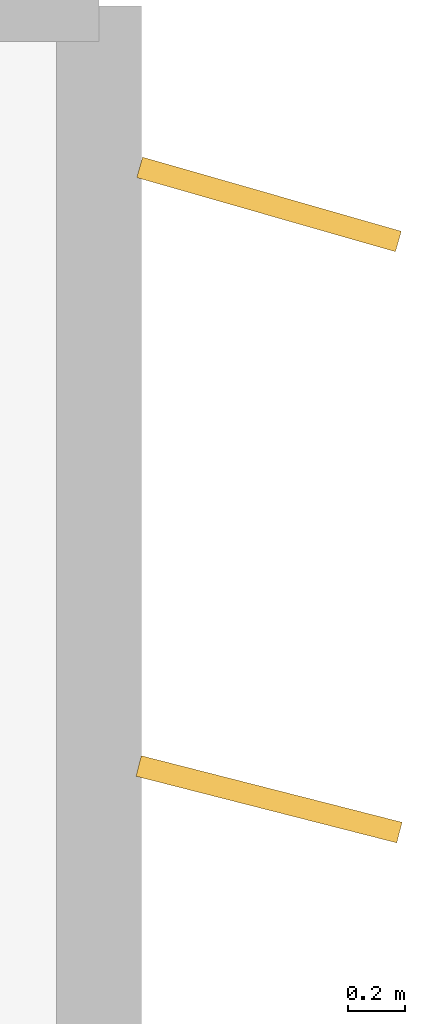
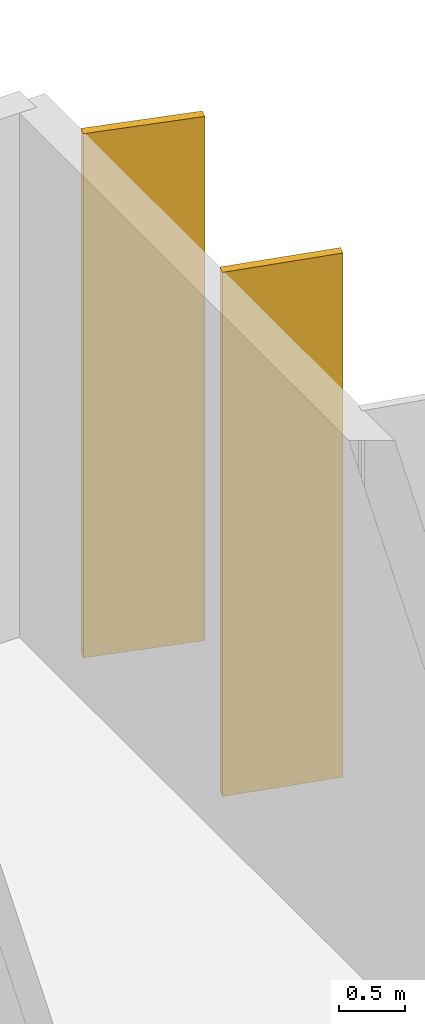
# One storey, part 21 of 21: 2 shading devices.
"""IFC4 building model written with IfcOpenShell, lengths in metres."""

from ifc_helpers import new_model, si_unit, direction, frame, origin, origin_2d, place, context, subcontext, project, spatial, rectangle, extrude, material, material_profile, profile_set, type_object, element, save


model = new_model("IFC4")

# Units and contexts
model_context = context("Model", 3, precision=1e-05, world=origin(), true_north=direction((0.0, 1.0)))
body_context = subcontext(model_context, "Body", "Model", "MODEL_VIEW")
ifc_project = project(units=[si_unit("LENGTHUNIT", "METRE"), si_unit("AREAUNIT", "SQUARE_METRE"), si_unit("VOLUMEUNIT", "CUBIC_METRE"), si_unit("PLANEANGLEUNIT", "RADIAN"), si_unit("MASSUNIT", "GRAM", prefix="KILO")], contexts=[model_context])

# Site, building, storey
site_placement = place(None, origin())
site = spatial("IfcSite", under=ifc_project, at=site_placement, CompositionType="ELEMENT")
building_placement = place(site_placement, origin())
building = spatial("IfcBuilding", under=site, at=building_placement, Name="Caelmar Bay Residences", CompositionType="ELEMENT")
storey_placement = place(building_placement, frame((0.0, 0.0, 79.5)))
storey = spatial("IfcBuildingStorey", under=building, at=storey_placement, Name="L21", CompositionType="ELEMENT", Elevation=79.5)

# Shading devices
ifc_material = material(Name="Anodised architectural bronze aluminium 6063-T6", Category="aluminium")
ifc_material_profile = material_profile(ifc_material, rectangle(XDim=0.074951171875, YDim=0.949951171875, at=origin_2d()), Name="BRONZE-FIN-75X950")
ifc_profile_set = profile_set([ifc_material_profile], Name="Anodised architectural bronze aluminium 6063-T6")
shading_device_type = type_object("IfcShadingDeviceType", Name="SHD-FIN-950", PredefinedType="USERDEFINED", material=ifc_profile_set)
for number, where, z_axis, x_axis, name in (
    (1, (76.75, 44.60009765625, 0.0), (0.0, 0.0, 1.0), (0.247337247968, 0.968929453452, 0.0), "L21 East Bronze Solar Fin 19"),
    (2, (76.75, 46.699951171875, 0.0), (0.0, 0.0, 1.0), (0.275637355817, 0.961261695938, 0.0), "L21 East Bronze Solar Fin 20"),
):
    element("IfcShadingDevice", number, at=place(storey_placement, frame(where, z_axis=z_axis, x_axis=x_axis)), inside=storey, type_object=shading_device_type, Name=name, ObjectType="FIN", PredefinedType="USERDEFINED", context=body_context, shape_type="SweptSolid", body=[
        extrude(rectangle(XDim=0.074951171875, YDim=0.949951171875, at=origin_2d()), origin(), (0.0, 0.0, 1.0), 4.85009765625),
    ])

save(model, "model.ifc")
